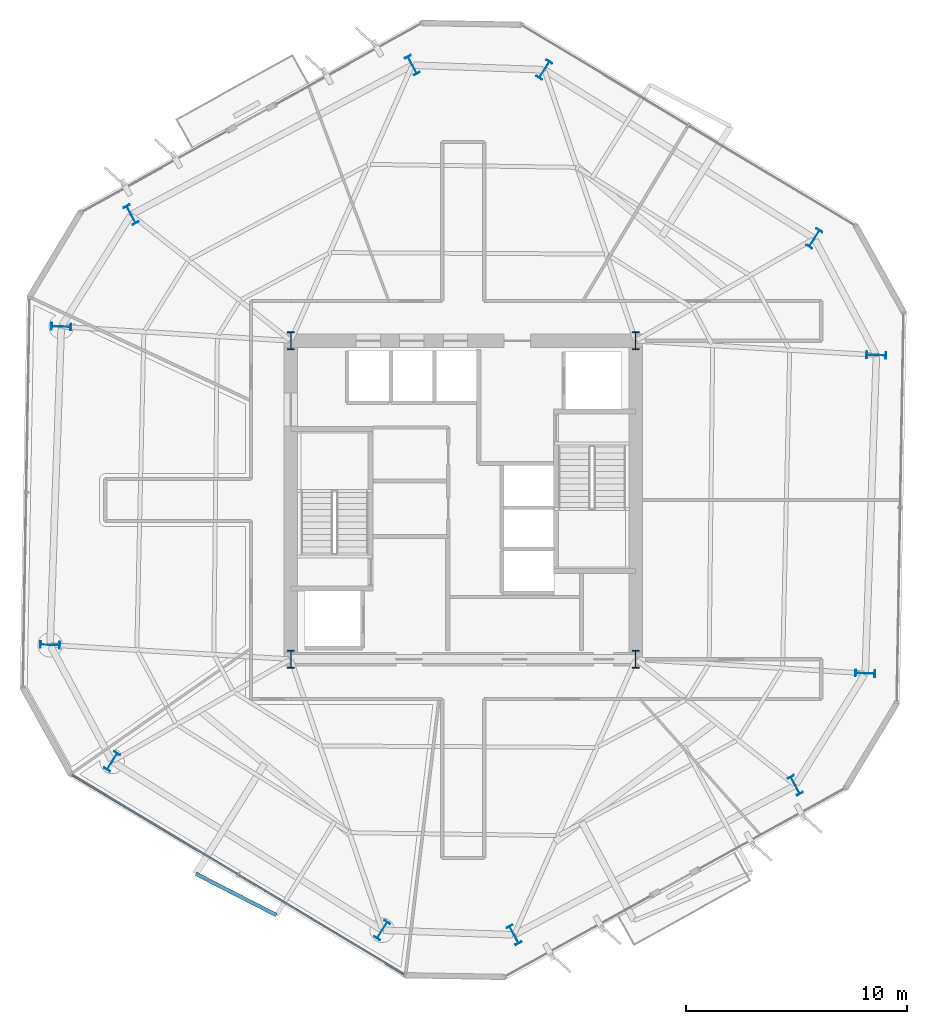
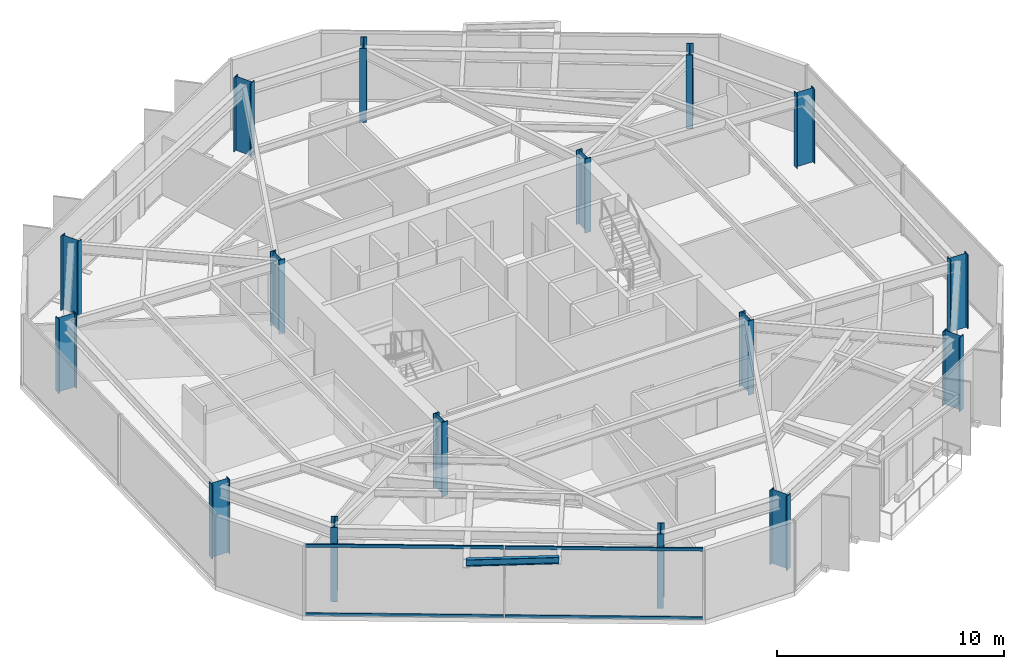
# One storey, part 1 of 11: 16 columns, 4 members, 1 beam, 1 element without a shape of its own.
"""IFC4 building model written with IfcOpenShell, lengths in metres."""

import ifcopenshell
import ifcopenshell.guid

model = None  # the IFC model being written
_history = None  # IfcOwnerHistory: only IFC2X3 demands one
_inside = {}  # id of a spatial element -> (the spatial element, [elements in it])
_under = {}  # id of a project, library or spatial element -> (it, [spatial elements below it])
_declared = {}  # id of a project -> (the project, [libraries it declares])
_typed = {}  # id of a type object -> (the type object, [elements of that type])
_made_of = {}  # id of a material, layer set ... -> (it, [elements and type objects made of it])


def new_model(schema):
    """Start an empty IFC model of exactly this schema.

    Asked for "IFC4X3", IfcOpenShell would pick the latest addendum, in which some entities
    have other attributes; the version numbers below select the first issue.
    IFC2X3 requires an IfcOwnerHistory on every rooted entity: one is made here for all.
    """
    global model, _history
    if schema == "IFC4X3":
        model = ifcopenshell.file(schema_version=(4, 3, 0, 0))
    else:
        model = ifcopenshell.file(schema=schema)
    _inside.clear()
    _under.clear()
    _declared.clear()
    _typed.clear()
    _made_of.clear()
    _history = None
    if model.schema == "IFC2X3":
        org = make("IfcOrganization", Name="unknown")
        user = make(
            "IfcPersonAndOrganization",
            ThePerson=make("IfcPerson", FamilyName="unknown"),
            TheOrganization=org,
        )
        app = make(
            "IfcApplication",
            ApplicationDeveloper=org,
            Version="unknown",
            ApplicationFullName="unknown",
            ApplicationIdentifier="unknown",
        )
        _history = make(
            "IfcOwnerHistory",
            OwningUser=user,
            OwningApplication=app,
            ChangeAction="ADDED",
            CreationDate=0,
        )
    return model


def make(cls, **values):
    """One entity of the class cls with the attributes given. An attribute that is None is left unset."""
    return model.create_entity(
        cls, **{name: value for name, value in values.items() if value is not None}
    )


def rooted(cls, **values):
    """An entity with a GlobalId (a new one), such as an element, a storey or a relation."""
    return make(cls, GlobalId=ifcopenshell.guid.new(), OwnerHistory=_history, **values)


def si_unit(unit_type, name, prefix=None):
    """IfcSIUnit, for example si_unit("LENGTHUNIT", "METRE", prefix="MILLI")."""
    return make("IfcSIUnit", UnitType=unit_type, Prefix=prefix, Name=name)


def assignment(units):
    """IfcUnitAssignment: the units of a project."""
    return None if units is None else make("IfcUnitAssignment", Units=units)


def point(xyz):
    """IfcCartesianPoint."""
    return None if xyz is None else make("IfcCartesianPoint", Coordinates=xyz)


def direction(xyz):
    """IfcDirection."""
    return None if xyz is None else make("IfcDirection", DirectionRatios=xyz)


def frame(location, z_axis=None, x_axis=None):
    """IfcAxis2Placement3D, a coordinate frame: its origin and axes. An axis left out is left unset."""
    return make(
        "IfcAxis2Placement3D",
        Location=point(location),
        Axis=direction(z_axis),
        RefDirection=direction(x_axis),
    )


def frame_2d(location, x_axis=None):
    """IfcAxis2Placement2D, a coordinate frame in the plane: its origin and x axis."""
    return make(
        "IfcAxis2Placement2D", Location=point(location), RefDirection=direction(x_axis)
    )


def origin():
    """The frame at (0, 0, 0) with its axes left unset."""
    return frame((0.0, 0.0, 0.0))


def origin_2d():
    """The frame at (0, 0) in the plane with its x axis left unset."""
    return frame_2d((0.0, 0.0))


def place(relative_to, where):
    """IfcLocalPlacement: puts the frame where relative to a parent placement (None: the world)."""
    return make(
        "IfcLocalPlacement", PlacementRelTo=relative_to, RelativePlacement=where
    )


def context(
    kind, dimensions, precision=None, world=None, true_north=None, identifier=None
):
    """IfcGeometricRepresentationContext, for example the 3D "Model" context."""
    return make(
        "IfcGeometricRepresentationContext",
        ContextIdentifier=identifier,
        ContextType=kind,
        CoordinateSpaceDimension=dimensions,
        Precision=precision,
        WorldCoordinateSystem=world,
        TrueNorth=true_north,
    )


def subcontext(parent, identifier, kind, view, scale=None):
    """IfcGeometricRepresentationSubContext, for example "Body" below "Model"."""
    return make(
        "IfcGeometricRepresentationSubContext",
        ContextIdentifier=identifier,
        ContextType=kind,
        ParentContext=parent,
        TargetScale=scale,
        TargetView=view,
    )


def project(units=None, contexts=None):
    """IfcProject with its units and contexts."""
    return rooted(
        "IfcProject",
        Name="project",
        RepresentationContexts=contexts,
        UnitsInContext=assignment(units),
    )


def spatial(cls, under=None, at=None, **own):
    """A site, building, storey or space (cls), placed at a placement, below another one or the project."""
    s = rooted(cls, ObjectPlacement=at, **own)
    if under is not None:
        _under.setdefault(under.id(), (under, []))[1].append(s)
    return s


def profile(cls, at=None, kind="AREA", **sizes):
    """A parametric profile (cls). Its sizes go by their IFC names, for example OverallWidth=200.0."""
    return make(cls, ProfileType=kind, Position=at, **sizes)


def rectangle(**sizes):
    """IfcRectangleProfileDef."""
    return profile("IfcRectangleProfileDef", **sizes)


def i_section(**sizes):
    """IfcIShapeProfileDef."""
    return profile("IfcIShapeProfileDef", **sizes)


def extrude(swept, where, along, depth):
    """IfcExtrudedAreaSolid: the profile swept, set in the frame where, extruded along a direction by depth."""
    return make(
        "IfcExtrudedAreaSolid",
        SweptArea=swept,
        Position=where,
        ExtrudedDirection=direction(along),
        Depth=depth,
    )


def shape(context_of_items, identifier, shape_type, items):
    """IfcShapeRepresentation: the items that make up one representation, for example the "Body"."""
    return make(
        "IfcShapeRepresentation",
        ContextOfItems=context_of_items,
        RepresentationIdentifier=identifier,
        RepresentationType=shape_type,
        Items=items,
    )


def material(Name=None, Category=None):
    """IfcMaterial."""
    return make("IfcMaterial", Name=Name, Category=Category)


def layer(
    of_material, thickness, ventilated=None, Name=None, Category=None, Priority=None
):
    """IfcMaterialLayer: one layer of a wall or slab, of a material (None: an air gap)."""
    return make(
        "IfcMaterialLayer",
        Material=of_material,
        LayerThickness=thickness,
        IsVentilated=ventilated,
        Name=Name,
        Category=Category,
        Priority=Priority,
    )


def layer_set(layers, Name=None):
    """IfcMaterialLayerSet."""
    return make("IfcMaterialLayerSet", MaterialLayers=layers, LayerSetName=Name)


def material_profile(
    of_material, cross_section, Name=None, Category=None, Priority=None
):
    """IfcMaterialProfile: a cross section and its material."""
    return make(
        "IfcMaterialProfile",
        Name=Name,
        Material=of_material,
        Profile=cross_section,
        Priority=Priority,
        Category=Category,
    )


def profile_set(profiles, Name=None, composite=None):
    """IfcMaterialProfileSet."""
    return make(
        "IfcMaterialProfileSet",
        Name=Name,
        MaterialProfiles=profiles,
        CompositeProfile=composite,
    )


def made_of(thing, what):
    """Note that an element or type object is made of a material, layer set ...; save() writes the relation."""
    if what is not None:
        _made_of.setdefault(what.id(), (what, []))[1].append(thing)
    return thing


def type_object(cls, material=None, **own):
    """A type object (cls), such as IfcWallType, which elements share."""
    return made_of(rooted(cls, **own), material)


def element(
    cls,
    number,
    at=None,
    inside=None,
    cuts=None,
    type_object=None,
    material=None,
    context=None,
    identifier="Body",
    shape_type=None,
    held_by="IfcProductDefinitionShape",
    body=None,
    shapes=None,
    **own,
):
    """One element of the class cls, such as IfcWall. Its Tag is "e" and its number.

    at: its placement. inside: the storey or other place that contains it. cuts: it is an
    opening in that element (IfcRelVoidsElement). A single representation is given by context,
    identifier, shape_type and body (its items); several are given by shapes. held_by: the class
    of the entity that holds the representations. save() writes the other relations.
    """
    e = rooted(cls, Tag="e%d" % number, ObjectPlacement=at, **own)
    if body is not None:
        shapes = [shape(context, identifier, shape_type, body)]
    if shapes is not None:
        e.Representation = make(held_by, Representations=shapes)
    if inside is not None:
        _inside.setdefault(inside.id(), (inside, []))[1].append(e)
    if cuts is not None:
        rooted(
            "IfcRelVoidsElement", RelatingBuildingElement=cuts, RelatedOpeningElement=e
        )
    if type_object is not None:
        _typed.setdefault(type_object.id(), (type_object, []))[1].append(e)
    return made_of(e, material)


def aggregate(whole, parts):
    """IfcRelAggregates: a whole, such as a stair, and the parts it consists of."""
    return rooted("IfcRelAggregates", RelatingObject=whole, RelatedObjects=parts)


def save(model, path):
    """Write the relations noted so far, then the file.

    IfcRelAggregates (storeys below a building ...), IfcRelContainedInSpatialStructure (elements
    in a storey), IfcRelDefinesByType, IfcRelAssociatesMaterial and IfcRelDeclares: one each for
    every whole, place, type object, material and project.
    """
    for whole, parts in _under.values():
        aggregate(whole, parts)
    for where, things in _inside.values():
        rooted(
            "IfcRelContainedInSpatialStructure",
            RelatedElements=things,
            RelatingStructure=where,
        )
    for kind, things in _typed.values():
        rooted("IfcRelDefinesByType", RelatedObjects=things, RelatingType=kind)
    for what, things in _made_of.values():
        rooted("IfcRelAssociatesMaterial", RelatedObjects=things, RelatingMaterial=what)
    for by, libraries in _declared.values():
        rooted("IfcRelDeclares", RelatingContext=by, RelatedDefinitions=libraries)
    model.write(path)


model = new_model("IFC4")

# Units and contexts
model_context = context("Model", 3, precision=1e-05, world=origin(), true_north=direction((0.0, 1.0)))
body_context = subcontext(model_context, "Body", "Model", "MODEL_VIEW")
ifc_project = project(units=[si_unit("LENGTHUNIT", "METRE"), si_unit("AREAUNIT", "SQUARE_METRE"), si_unit("VOLUMEUNIT", "CUBIC_METRE"), si_unit("PLANEANGLEUNIT", "RADIAN"), si_unit("MASSUNIT", "GRAM", prefix="KILO")], contexts=[model_context])

# Site, building, storey
site_placement = place(None, origin())
site = spatial("IfcSite", under=ifc_project, at=site_placement, CompositionType="ELEMENT")
building_placement = place(site_placement, origin())
building = spatial("IfcBuilding", under=site, at=building_placement, Name="Kranzbogen Civic Tower", CompositionType="ELEMENT")
storey_placement = place(building_placement, frame((0.0, 0.0, 138.39990234375)))
storey = spatial("IfcBuildingStorey", under=building, at=storey_placement, Name="L33", CompositionType="ELEMENT", Elevation=138.39990234375)

# Columns
ifc_material_1 = material(Name="Steel S355", Category="steel")
ifc_material_profile_1 = material_profile(ifc_material_1, i_section(OverallWidth=0.300048828125, OverallDepth=0.89990234375, WebThickness=0.0185546875, FlangeThickness=0.034912109375, at=origin_2d()), Name="HEB 900")
ifc_profile_set_1 = profile_set([ifc_material_profile_1], Name="Steel S355")
column_type_1 = type_object("IfcColumnType", Name="Structural Column HEB 900", PredefinedType="COLUMN", material=ifc_profile_set_1)
for number, where, z_axis, x_axis, name in (
    (1, (40.885986328125, 36.8291015625, 0.0), (0.0, 0.0, 1.0), (-0.848048096156, 0.529919264233, 0.0), "L33 tower perimeter tube column 01"),
    (2, (28.66796875, 44.464111328125, 0.0), (0.0, 0.0, 1.0), (-0.848048096156, 0.529919264233, 0.0), "L33 tower perimeter tube column 02"),
    (3, (22.698974609375, 44.672119140625, 0.0), (0.0, 0.0, 1.0), (0.882947592859, 0.469471562786, 0.0), "L33 tower perimeter tube column 03"),
    (4, (9.97705078125, 37.907958984375, 0.0), (0.0, 0.0, 1.0), (0.882947592859, 0.469471562786, 0.0), "L33 tower perimeter tube column 04"),
    (5, (6.81298828125, 32.843994140625, 0.0), (0.0, 0.0, 1.0), (0.034899496703, 0.999390827019, 0.0), "L33 tower perimeter tube column 05"),
    (6, (6.31005859375, 18.444091796875, 0.0), (0.0, 0.0, 1.0), (0.034899496703, 0.999390827019, 0.0), "L33 tower perimeter tube column 06"),
    (7, (9.114013671875, 13.1708984375, 0.0), (0.0, 0.0, 1.0), (-0.848048096156, 0.529919264233, 0.0), "L33 tower perimeter tube column 07"),
    (8, (21.33203125, 5.535888671875, 0.0), (0.0, 0.0, 1.0), (-0.848048096156, 0.529919264233, 0.0), "L33 tower perimeter tube column 08"),
    (9, (27.301025390625, 5.327880859375, 0.0), (0.0, 0.0, 1.0), (0.882947592859, 0.469471562786, 0.0), "L33 tower perimeter tube column 09"),
    (10, (40.02294921875, 12.092041015625, 0.0), (0.0, 0.0, 1.0), (0.882947592859, 0.469471562786, 0.0), "L33 tower perimeter tube column 10"),
    (11, (43.18701171875, 17.156005859375, 0.0), (0.0, 0.0, 1.0), (0.034899496703, 0.999390827019, 0.0), "L33 tower perimeter tube column 11"),
    (12, (43.68994140625, 31.555908203125, 0.0), (0.0, 0.0, 1.0), (0.034899496703, 0.999390827019, 0.0), "L33 tower perimeter tube column 12"),
):
    element("IfcColumn", number, at=place(storey_placement, frame(where, z_axis=z_axis, x_axis=x_axis)), inside=storey, type_object=column_type_1, Name=name, PredefinedType="COLUMN", context=body_context, shape_type="SweptSolid", body=[
        extrude(i_section(OverallWidth=0.300048828125, OverallDepth=0.89990234375, WebThickness=0.0185546875, FlangeThickness=0.034912109375, at=origin_2d()), origin(), (0.0, 0.0, 1.0), 4.0),
    ])
ifc_material_2 = material(Name="Steel S460", Category="steel")
ifc_material_profile_2 = material_profile(ifc_material_2, i_section(OverallWidth=0.302978515625, OverallDepth=0.81396484375, WebThickness=0.02099609375, FlangeThickness=0.0400390625, at=origin_2d()), Name="HEM 800")
ifc_profile_set_2 = profile_set([ifc_material_profile_2], Name="Steel S460")
column_type_2 = type_object("IfcColumnType", Name="Structural Column HEM 800", PredefinedType="COLUMN", material=ifc_profile_set_2)
for number, where, z_axis, x_axis, name in (
    (13, (17.199951171875, 17.800048828125, 0.0), (0.0, 0.0, 1.0), (1.0, 0.0, 0.0), "L33 composite core corner column 1"),
    (14, (32.800048828125, 17.800048828125, 0.0), (0.0, 0.0, 1.0), (1.0, 0.0, 0.0), "L33 composite core corner column 2"),
    (15, (32.800048828125, 32.199951171875, 0.0), (0.0, 0.0, 1.0), (1.0, 0.0, 0.0), "L33 composite core corner column 3"),
    (16, (17.199951171875, 32.199951171875, 0.0), (0.0, 0.0, 1.0), (1.0, 0.0, 0.0), "L33 composite core corner column 4"),
):
    element("IfcColumn", number, at=place(storey_placement, frame(where, z_axis=z_axis, x_axis=x_axis)), inside=storey, type_object=column_type_2, Name=name, PredefinedType="COLUMN", context=body_context, shape_type="SweptSolid", body=[
        extrude(i_section(OverallWidth=0.302978515625, OverallDepth=0.81396484375, WebThickness=0.02099609375, FlangeThickness=0.0400390625, at=origin_2d()), origin(), (0.0, 0.0, 1.0), 4.0),
    ])

# Curtain wall, members
ifc_material_3 = material(Name="Pale Anodised Aluminium", Category="aluminium")
ifc_layer = layer(ifc_material_3, 0.219970703125, Name="Pale Anodised Aluminium")
ifc_layer_set = layer_set([ifc_layer], Name="Pale Anodised Aluminium")
curtain_wall_type = type_object("IfcCurtainWallType", Name="Zone 2 Stick Curtain Wall System CW-03", PredefinedType="USERDEFINED", material=ifc_layer_set)
curtain_wall_placement = place(storey_placement, origin())
curtain_wall = element("IfcCurtainWall", 17, at=curtain_wall_placement, inside=storey, type_object=curtain_wall_type, Name="L33 curtain wall CW-L33-F4", ObjectType="STICK CURTAIN WALL", PredefinedType="USERDEFINED")
ifc_material_profile_3 = material_profile(ifc_material_3, rectangle(XDim=0.074951171875, YDim=0.1650390625, at=origin_2d()), Name="ALU-T 75x165")
ifc_profile_set_3 = profile_set([ifc_material_profile_3], Name="Pale Anodised Aluminium")
member_type = type_object("IfcMemberType", Name="Curtain Wall Transom ALU-T 75x165", PredefinedType="USERDEFINED", material=ifc_profile_set_3)
member_1_placement = place(storey_placement, frame((7.29638671875, 12.571044921875, 0.030029296875), z_axis=(0.857152756888, -0.515062279107, 0.0), x_axis=(0.515062279107, 0.857152756888, 0.0)))
member_1 = element("IfcMember", 18, at=member_1_placement, type_object=member_type, Name="CW-03 transom 1.1", ObjectType="TRANSOM", PredefinedType="USERDEFINED", context=body_context, shape_type="SweptSolid", body=[
    extrude(rectangle(XDim=0.074951171875, YDim=0.1650390625, at=origin_2d()), origin(), (0.0, 0.0, 1.0), 8.743896484375),
])
member_2_placement = place(storey_placement, frame((7.29638671875, 12.571044921875, 3.72998046875), z_axis=(0.857152756888, -0.515062279107, 0.0), x_axis=(0.515062279107, 0.857152756888, 0.0)))
member_2 = element("IfcMember", 19, at=member_2_placement, type_object=member_type, Name="CW-03 transom 1.2", ObjectType="TRANSOM", PredefinedType="USERDEFINED", context=body_context, shape_type="SweptSolid", body=[
    extrude(rectangle(XDim=0.074951171875, YDim=0.1650390625, at=origin_2d()), origin(), (0.0, 0.0, 1.0), 8.743896484375),
])
member_3_placement = place(storey_placement, frame((14.8427734375, 8.03662109375, 0.030029296875), z_axis=(0.857152756888, -0.515062279107, 0.0), x_axis=(0.515062279107, 0.857152756888, 0.0)))
member_3 = element("IfcMember", 20, at=member_3_placement, type_object=member_type, Name="CW-03 transom 2.1", ObjectType="TRANSOM", PredefinedType="USERDEFINED", context=body_context, shape_type="SweptSolid", body=[
    extrude(rectangle(XDim=0.074951171875, YDim=0.1650390625, at=origin_2d()), origin(), (0.0, 0.0, 1.0), 8.743896484375),
])
member_4_placement = place(storey_placement, frame((14.8427734375, 8.03662109375, 3.72998046875), z_axis=(0.857152756888, -0.515062279107, 0.0), x_axis=(0.515062279107, 0.857152756888, 0.0)))
member_4 = element("IfcMember", 21, at=member_4_placement, type_object=member_type, Name="CW-03 transom 2.2", ObjectType="TRANSOM", PredefinedType="USERDEFINED", context=body_context, shape_type="SweptSolid", body=[
    extrude(rectangle(XDim=0.074951171875, YDim=0.1650390625, at=origin_2d()), origin(), (0.0, 0.0, 1.0), 8.743896484375),
])
aggregate(curtain_wall, [member_1, member_2, member_3, member_4])

# Beam
ifc_material_profile_4 = material_profile(ifc_material_1, i_section(OverallWidth=0.169921875, OverallDepth=0.360107421875, WebThickness=0.008056640625, FlangeThickness=0.0126953125, at=origin_2d()), Name="IPE 360")
ifc_profile_set_4 = profile_set([ifc_material_profile_4], Name="Steel S355")
beam_type = type_object("IfcBeamType", Name="Secondary Composite Floor Joist IPE 360", PredefinedType="JOIST", material=ifc_profile_set_4)
beam_placement = place(storey_placement, frame((12.904052734375, 8.091064453125, 3.570068359375), z_axis=(0.889519192048, -0.456897808026, 0.0), x_axis=(0.456897808026, 0.889519192048, 0.0)))
element("IfcBeam", 22, at=beam_placement, inside=storey, type_object=beam_type, Name="L34 terrace outer edge trimmer L34-TB1", PredefinedType="JOIST", context=body_context, shape_type="SweptSolid", body=[
    extrude(i_section(OverallWidth=0.169921875, OverallDepth=0.360107421875, WebThickness=0.008056640625, FlangeThickness=0.0126953125, at=origin_2d()), origin(), (0.0, 0.0, 1.0), 4.093017578125),
])

save(model, "model.ifc")
